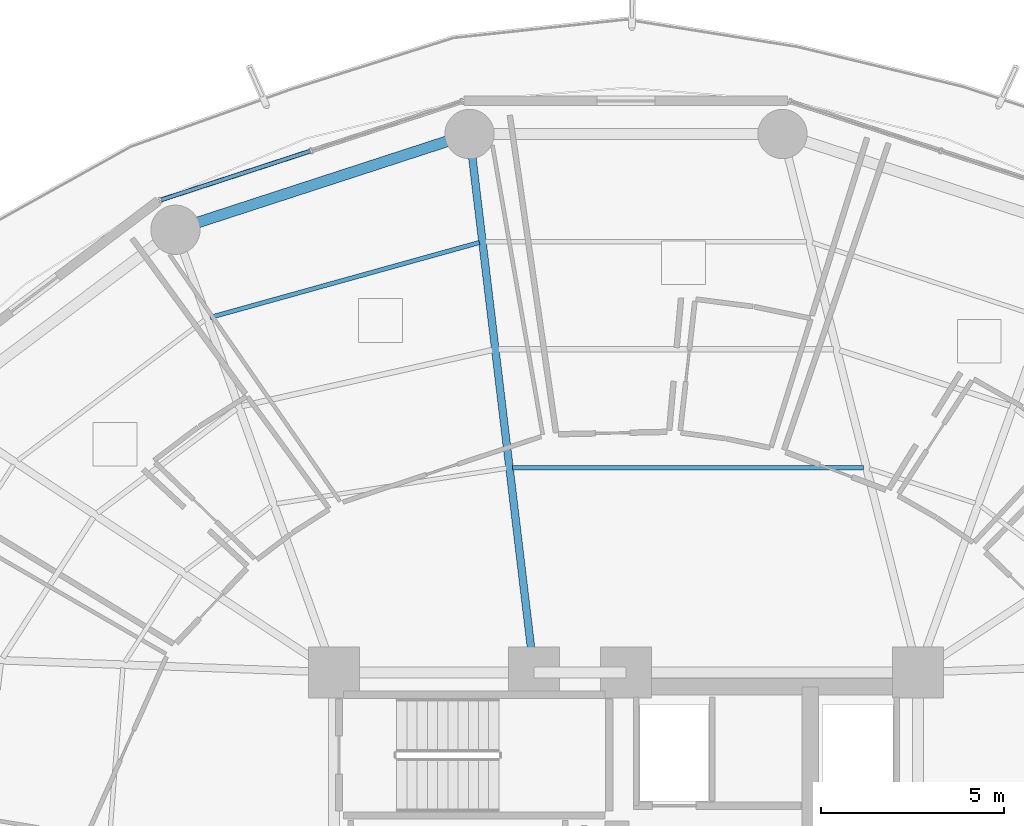
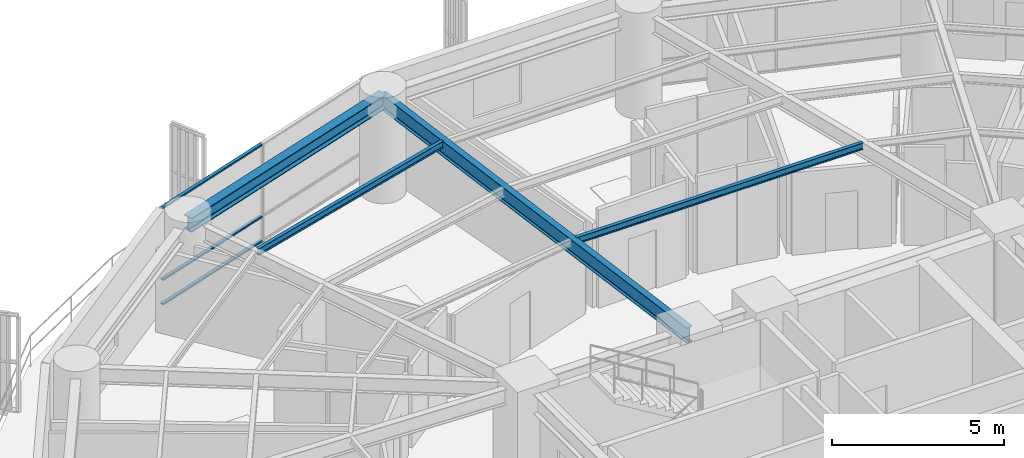
# One storey, part 20 of 35: 4 beams, 3 members, 1 element without a shape of its own.
"""IFC4 building model written with IfcOpenShell, lengths in metres."""

from ifc_helpers import new_model, si_unit, direction, frame, origin, origin_2d, place, context, subcontext, project, spatial, hollow_rectangle, i_section, extrude, material, layer, layer_set, material_profile, profile_set, type_object, element, aggregate, save


model = new_model("IFC4")

# Units and contexts
model_context = context("Model", 3, precision=1e-05, world=origin(), true_north=direction((0.0, 1.0)))
body_context = subcontext(model_context, "Body", "Model", "MODEL_VIEW")
ifc_project = project(units=[si_unit("LENGTHUNIT", "METRE"), si_unit("AREAUNIT", "SQUARE_METRE"), si_unit("VOLUMEUNIT", "CUBIC_METRE"), si_unit("PLANEANGLEUNIT", "RADIAN"), si_unit("MASSUNIT", "GRAM", prefix="KILO")], contexts=[model_context])

# Site, building, storey
site_placement = place(None, origin())
site = spatial("IfcSite", under=ifc_project, at=site_placement, CompositionType="ELEMENT")
building_placement = place(site_placement, origin())
building = spatial("IfcBuilding", under=site, at=building_placement, Name="Kelanora Arch Commons", CompositionType="ELEMENT")
storey_placement = place(building_placement, frame((0.0, 0.0, 95.10009765625)))
storey = spatial("IfcBuildingStorey", under=building, at=storey_placement, Name="L24", CompositionType="ELEMENT", Elevation=95.10009765625)

# Beams
ifc_material_1 = material(Name="Steel S355", Category="steel")
ifc_material_profile_1 = material_profile(ifc_material_1, i_section(OverallWidth=0.1201171875, OverallDepth=0.239990234375, WebThickness=0.006103515625, FlangeThickness=0.009765625, FilletRadius=0.014892578125, at=origin_2d()), Name="IPE240")
ifc_profile_set_1 = profile_set([ifc_material_profile_1], Name="Steel S355")
beam_type_1 = type_object("IfcBeamType", Name="BM-JST-02", PredefinedType="JOIST", material=ifc_profile_set_1)
beam_1_placement = place(storey_placement, frame((80.50341796875, 70.602783203125, 3.369873046875), z_axis=(-1.0, 0.0, 0.0), x_axis=(0.0, -1.0, 0.0)))
element("IfcBeam", 1, at=beam_1_placement, inside=storey, type_object=beam_type_1, Name="Secondary Chord Joist BJA-08 L24", PredefinedType="JOIST", context=body_context, shape_type="SweptSolid", body=[
    extrude(i_section(OverallWidth=0.1201171875, OverallDepth=0.239990234375, WebThickness=0.006103515625, FlangeThickness=0.009765625, FilletRadius=0.014892578125, at=origin_2d()), origin(), (0.0, 0.0, 1.0), 9.609375),
])
beam_2_placement = place(storey_placement, frame((69.985595703125, 76.77294921875, 3.369873046875), z_axis=(-0.963385760896, -0.268119144603, 0.0), x_axis=(0.268119144603, -0.963385760896, 0.0)))
element("IfcBeam", 2, at=beam_2_placement, inside=storey, type_object=beam_type_1, Name="Secondary Chord Joist BJC-10 L24", PredefinedType="JOIST", context=body_context, shape_type="SweptSolid", body=[
    extrude(i_section(OverallWidth=0.1201171875, OverallDepth=0.239990234375, WebThickness=0.006103515625, FlangeThickness=0.009765625, FilletRadius=0.014892578125, at=origin_2d()), origin(), (0.0, 0.0, 1.0), 7.656005859375),
])
ifc_material_profile_2 = material_profile(ifc_material_1, i_section(OverallWidth=0.2099609375, OverallDepth=0.550048828125, WebThickness=0.010986328125, FlangeThickness=0.01708984375, FilletRadius=0.02392578125, at=origin_2d()), Name="IPE550")
ifc_profile_set_2 = profile_set([ifc_material_profile_2], Name="Steel S355")
beam_type_2 = type_object("IfcBeamType", Name="BM-RAD-Z2", PredefinedType="BEAM", material=ifc_profile_set_2)
beam_3_placement = place(storey_placement, frame((71.47998046875, 65.0, 3.21484375), z_axis=(-0.118897572414, 0.992906524943, 0.0), x_axis=(-0.992906524943, -0.118897572414, 0.0)))
element("IfcBeam", 3, at=beam_3_placement, inside=storey, type_object=beam_type_2, Name="Radial Floor Girder BR-10 L24", PredefinedType="BEAM", context=body_context, shape_type="SweptSolid", body=[
    extrude(i_section(OverallWidth=0.2099609375, OverallDepth=0.550048828125, WebThickness=0.010986328125, FlangeThickness=0.01708984375, FilletRadius=0.02392578125, at=origin_2d()), origin(), (0.0, 0.0, 1.0), 14.849853515625),
])
ifc_material_profile_3 = material_profile(ifc_material_1, i_section(OverallWidth=0.300048828125, OverallDepth=0.5, WebThickness=0.014404296875, FlangeThickness=0.028076171875, FilletRadius=0.027099609375, at=origin_2d()), Name="HEB500")
ifc_profile_set_3 = profile_set([ifc_material_profile_3], Name="Steel S355")
beam_type_3 = type_object("IfcBeamType", Name="BM-SPN-Z2", PredefinedType="SPANDREL", material=ifc_profile_set_3)
beam_4_placement = place(storey_placement, frame((69.71435546875, 79.74462890625, 3.239990234375), z_axis=(-0.950856631974, -0.309631499418, 0.0), x_axis=(0.309631499418, -0.950856631974, 0.0)))
element("IfcBeam", 4, at=beam_4_placement, inside=storey, type_object=beam_type_3, Name="Perimeter Spandrel Beam BS-10 L24", PredefinedType="SPANDREL", context=body_context, shape_type="SweptSolid", body=[
    extrude(i_section(OverallWidth=0.300048828125, OverallDepth=0.5, WebThickness=0.014404296875, FlangeThickness=0.028076171875, FilletRadius=0.027099609375, at=origin_2d()), origin(), (0.0, 0.0, 1.0), 8.470703125),
])

# Curtain wall, members
ifc_material_2 = material(Name="Terracotta ceramic-fritted low-E glass and aluminium", Category="masonry")
ifc_layer = layer(ifc_material_2, 0.159912109375)
ifc_layer_set = layer_set([ifc_layer], Name="Terracotta ceramic-fritted low-E glass and aluminium")
curtain_wall_type = type_object("IfcCurtainWallType", Name="CW-SYS-01", PredefinedType="NOTDEFINED", material=ifc_layer_set)
curtain_wall_placement = place(storey_placement, origin())
curtain_wall = element("IfcCurtainWall", 5, at=curtain_wall_placement, inside=storey, type_object=curtain_wall_type, Name="Unitised Curtain Wall L24-B05", PredefinedType="NOTDEFINED")
ifc_material_3 = material(Name="Powder-coated aluminium terracotta", Category="masonry")
ifc_material_profile_4 = material_profile(ifc_material_3, hollow_rectangle(XDim=0.1201171875, YDim=0.06005859375, WallThickness=0.0048828125, InnerFilletRadius=0.0048828125, OuterFilletRadius=0.010009765625, at=origin_2d()), Name="CWT120x60")
ifc_profile_set_4 = profile_set([ifc_material_profile_4], Name="Powder-coated aluminium terracotta")
member_type = type_object("IfcMemberType", Name="CWT-STD", PredefinedType="USERDEFINED", material=ifc_profile_set_4)
member_1_placement = place(storey_placement, frame((65.348876953125, 79.275390625, 0.02978515625), z_axis=(-0.950466230394, -0.310827838008, 0.0), x_axis=(0.310827838008, -0.950466230394, 0.0)))
member_1 = element("IfcMember", 6, at=member_1_placement, type_object=member_type, Name="CW-01 transom 2.1", ObjectType="TRANSOM", PredefinedType="USERDEFINED", context=body_context, shape_type="SweptSolid", body=[
    extrude(hollow_rectangle(XDim=0.1201171875, YDim=0.06005859375, WallThickness=0.0048828125, InnerFilletRadius=0.0048828125, OuterFilletRadius=0.010009765625, at=origin_2d()), origin(), (0.0, 0.0, 1.0), 4.2900390625),
])
member_2_placement = place(storey_placement, frame((65.348876953125, 79.275390625, 0.89990234375), z_axis=(-0.950466230394, -0.310827838008, 0.0), x_axis=(0.310827838008, -0.950466230394, 0.0)))
member_2 = element("IfcMember", 7, at=member_2_placement, type_object=member_type, Name="CW-01 transom 2.2", ObjectType="TRANSOM", PredefinedType="USERDEFINED", context=body_context, shape_type="SweptSolid", body=[
    extrude(hollow_rectangle(XDim=0.1201171875, YDim=0.06005859375, WallThickness=0.0048828125, InnerFilletRadius=0.0048828125, OuterFilletRadius=0.010009765625, at=origin_2d()), origin(), (0.0, 0.0, 1.0), 4.2900390625),
])
member_3_placement = place(storey_placement, frame((65.348876953125, 79.275390625, 3.44482421875), z_axis=(-0.950466230394, -0.310827838008, 0.0), x_axis=(0.310827838008, -0.950466230394, 0.0)))
member_3 = element("IfcMember", 8, at=member_3_placement, type_object=member_type, Name="CW-01 transom 2.3", ObjectType="TRANSOM", PredefinedType="USERDEFINED", context=body_context, shape_type="SweptSolid", body=[
    extrude(hollow_rectangle(XDim=0.1201171875, YDim=0.06005859375, WallThickness=0.0048828125, InnerFilletRadius=0.0048828125, OuterFilletRadius=0.010009765625, at=origin_2d()), origin(), (0.0, 0.0, 1.0), 4.2900390625),
])
aggregate(curtain_wall, [member_1, member_2, member_3])

save(model, "model.ifc")
